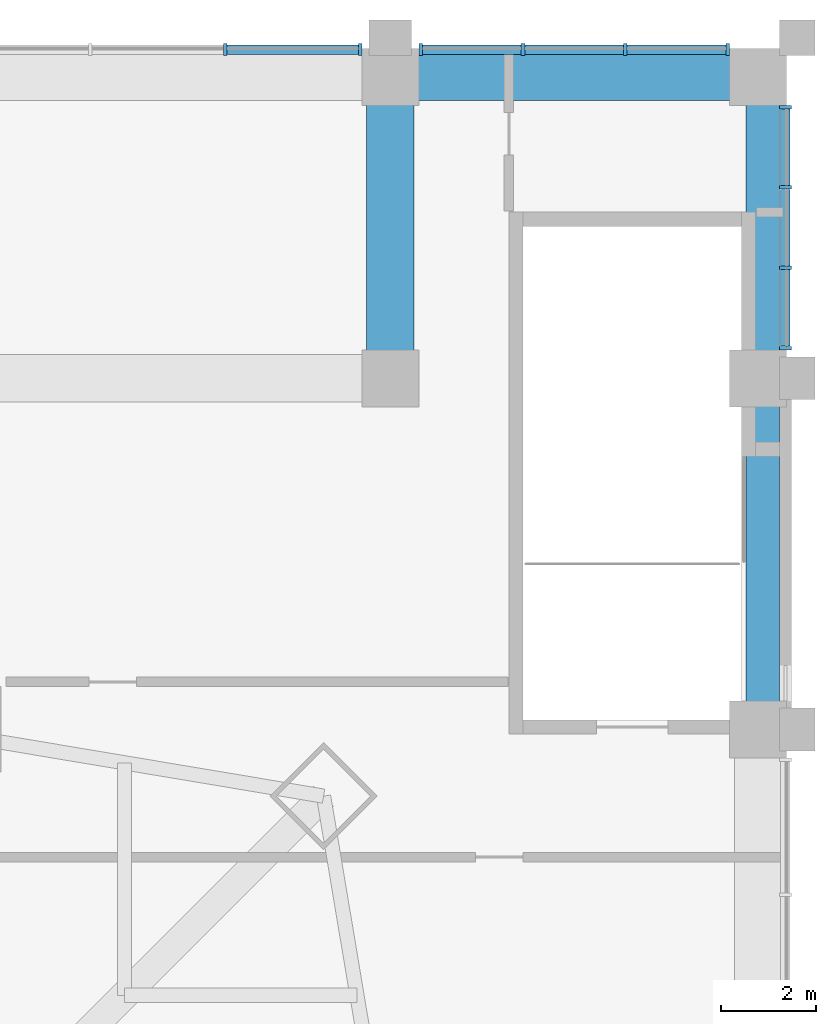
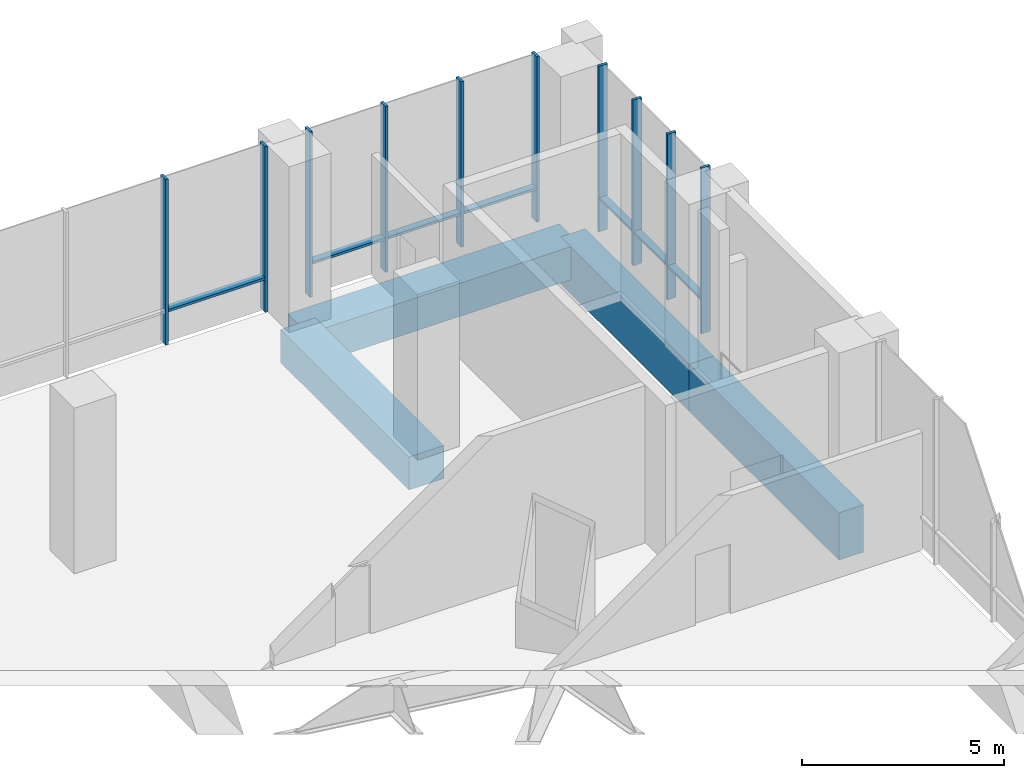
# One storey, part 12 of 22: 17 members, 4 beams, 3 elements without a shape of their own.
"""IFC4 building model written with IfcOpenShell, lengths in metres."""

from ifc_helpers import new_model, si_unit, direction, frame, origin, origin_2d, place, context, subcontext, project, spatial, rectangle, extrude, material, material_profile, profile_set, type_object, element, aggregate, save


model = new_model("IFC4")

# Units and contexts
model_context = context("Model", 3, precision=1e-05, world=origin(), true_north=direction((0.0, 1.0)))
body_context = subcontext(model_context, "Body", "Model", "MODEL_VIEW")
ifc_project = project(units=[si_unit("LENGTHUNIT", "METRE"), si_unit("AREAUNIT", "SQUARE_METRE"), si_unit("VOLUMEUNIT", "CUBIC_METRE"), si_unit("PLANEANGLEUNIT", "RADIAN"), si_unit("MASSUNIT", "GRAM", prefix="KILO")], contexts=[model_context])

# Site, building, storey
site_placement = place(None, origin())
site = spatial("IfcSite", under=ifc_project, at=site_placement, CompositionType="ELEMENT")
building_placement = place(site_placement, origin())
building = spatial("IfcBuilding", under=site, at=building_placement, Name="Khuree Lantern Residences", CompositionType="ELEMENT")
storey_placement = place(building_placement, frame((0.0, 0.0, 16.0)))
storey = spatial("IfcBuildingStorey", under=building, at=storey_placement, Name="L03", CompositionType="ELEMENT", Elevation=16.0)

# Curtain wall, members
ifc_material_1 = material(Name="Bronze anodised aluminium", Category="aluminium")
curtain_wall_type = type_object("IfcCurtainWallType", Name="CW-P PODIUM STOREFRONT CURTAIN WALL", PredefinedType="USERDEFINED", material=ifc_material_1)
curtain_wall_1_placement = place(storey_placement, origin())
curtain_wall_1 = element("IfcCurtainWall", 1, at=curtain_wall_1_placement, inside=storey, type_object=curtain_wall_type, Name="L03 EAST FACE BAY 8 STOREFRONT", ObjectType="Storefront curtain wall", PredefinedType="USERDEFINED")
ifc_material_profile_1 = material_profile(ifc_material_1, rectangle(XDim=0.074951171875, YDim=0.25, at=origin_2d()), Name="M5 75X250")
ifc_profile_set_1 = profile_set([ifc_material_profile_1], Name="Bronze anodised aluminium")
member_type_1 = type_object("IfcMemberType", Name="MULLION M5 STOREFRONT 75X250", PredefinedType="MULLION", material=ifc_profile_set_1)
member_1_placement = place(storey_placement, frame((38.125, 37.83740234375, 0.0), z_axis=(0.0, 0.0, 1.0), x_axis=(0.0, 1.0, 0.0)))
member_1 = element("IfcMember", 2, at=member_1_placement, type_object=member_type_1, Name="L03 EAST FACE BAY 8 MULLION 1", PredefinedType="MULLION", context=body_context, shape_type="SweptSolid", body=[
    extrude(rectangle(XDim=0.074951171875, YDim=0.25, at=origin_2d()), origin(), (0.0, 0.0, 1.0), 5.0),
])
member_2_placement = place(storey_placement, frame((38.125, 39.529052734375, 0.0), z_axis=(0.0, 0.0, 1.0), x_axis=(0.0, 1.0, 0.0)))
member_2 = element("IfcMember", 3, at=member_2_placement, type_object=member_type_1, Name="L03 EAST FACE BAY 8 MULLION 2", PredefinedType="MULLION", context=body_context, shape_type="SweptSolid", body=[
    extrude(rectangle(XDim=0.074951171875, YDim=0.25, at=origin_2d()), origin(), (0.0, 0.0, 1.0), 5.0),
])
member_3_placement = place(storey_placement, frame((38.125, 41.220947265625, 0.0), z_axis=(0.0, 0.0, 1.0), x_axis=(0.0, 1.0, 0.0)))
member_3 = element("IfcMember", 4, at=member_3_placement, type_object=member_type_1, Name="L03 EAST FACE BAY 8 MULLION 3", PredefinedType="MULLION", context=body_context, shape_type="SweptSolid", body=[
    extrude(rectangle(XDim=0.074951171875, YDim=0.25, at=origin_2d()), origin(), (0.0, 0.0, 1.0), 5.0),
])
member_4_placement = place(storey_placement, frame((38.125, 42.91259765625, 0.0), z_axis=(0.0, 0.0, 1.0), x_axis=(0.0, 1.0, 0.0)))
member_4 = element("IfcMember", 5, at=member_4_placement, type_object=member_type_1, Name="L03 EAST FACE BAY 8 MULLION 4", PredefinedType="MULLION", context=body_context, shape_type="SweptSolid", body=[
    extrude(rectangle(XDim=0.074951171875, YDim=0.25, at=origin_2d()), origin(), (0.0, 0.0, 1.0), 5.0),
])

curtain_wall_2_placement = place(storey_placement, origin())
curtain_wall_2 = element("IfcCurtainWall", 6, at=curtain_wall_2_placement, inside=storey, type_object=curtain_wall_type, Name="L03 NORTH FACE BAY 1 STOREFRONT", ObjectType="Storefront curtain wall", PredefinedType="USERDEFINED")
member_5_placement = place(storey_placement, frame((36.91259765625, 44.125, 0.0), z_axis=(0.0, 0.0, 1.0), x_axis=(-1.0, 0.0, 0.0)))
member_5 = element("IfcMember", 7, at=member_5_placement, type_object=member_type_1, Name="L03 NORTH FACE BAY 1 MULLION 1", PredefinedType="MULLION", context=body_context, shape_type="SweptSolid", body=[
    extrude(rectangle(XDim=0.074951171875, YDim=0.25, at=origin_2d()), origin(), (0.0, 0.0, 1.0), 5.0),
])
member_6_placement = place(storey_placement, frame((34.754150390625, 44.125, 0.0), z_axis=(0.0, 0.0, 1.0), x_axis=(-1.0, 0.0, 0.0)))
member_6 = element("IfcMember", 8, at=member_6_placement, type_object=member_type_1, Name="L03 NORTH FACE BAY 1 MULLION 2", PredefinedType="MULLION", context=body_context, shape_type="SweptSolid", body=[
    extrude(rectangle(XDim=0.074951171875, YDim=0.25, at=origin_2d()), origin(), (0.0, 0.0, 1.0), 5.0),
])
member_7_placement = place(storey_placement, frame((32.595947265625, 44.125, 0.0), z_axis=(0.0, 0.0, 1.0), x_axis=(-1.0, 0.0, 0.0)))
member_7 = element("IfcMember", 9, at=member_7_placement, type_object=member_type_1, Name="L03 NORTH FACE BAY 1 MULLION 3", PredefinedType="MULLION", context=body_context, shape_type="SweptSolid", body=[
    extrude(rectangle(XDim=0.074951171875, YDim=0.25, at=origin_2d()), origin(), (0.0, 0.0, 1.0), 5.0),
])
member_8_placement = place(storey_placement, frame((30.4375, 44.125, 0.0), z_axis=(0.0, 0.0, 1.0), x_axis=(-1.0, 0.0, 0.0)))
member_8 = element("IfcMember", 10, at=member_8_placement, type_object=member_type_1, Name="L03 NORTH FACE BAY 1 MULLION 4", PredefinedType="MULLION", context=body_context, shape_type="SweptSolid", body=[
    extrude(rectangle(XDim=0.074951171875, YDim=0.25, at=origin_2d()), origin(), (0.0, 0.0, 1.0), 5.0),
])

curtain_wall_3_placement = place(storey_placement, origin())
curtain_wall_3 = element("IfcCurtainWall", 11, at=curtain_wall_3_placement, inside=storey, type_object=curtain_wall_type, Name="L03 NORTH FACE BAY 2 STOREFRONT", ObjectType="Storefront curtain wall", PredefinedType="USERDEFINED")
member_9_placement = place(storey_placement, frame((29.16259765625, 44.125, 0.0), z_axis=(0.0, 0.0, 1.0), x_axis=(-1.0, 0.0, 0.0)))
member_9 = element("IfcMember", 12, at=member_9_placement, type_object=member_type_1, Name="L03 NORTH FACE BAY 2 MULLION 1", PredefinedType="MULLION", context=body_context, shape_type="SweptSolid", body=[
    extrude(rectangle(XDim=0.074951171875, YDim=0.25, at=origin_2d()), origin(), (0.0, 0.0, 1.0), 5.0),
])
member_10_placement = place(storey_placement, frame((26.32080078125, 44.125, 0.0), z_axis=(0.0, 0.0, 1.0), x_axis=(-1.0, 0.0, 0.0)))
member_10 = element("IfcMember", 13, at=member_10_placement, type_object=member_type_1, Name="L03 NORTH FACE BAY 2 MULLION 2", PredefinedType="MULLION", context=body_context, shape_type="SweptSolid", body=[
    extrude(rectangle(XDim=0.074951171875, YDim=0.25, at=origin_2d()), origin(), (0.0, 0.0, 1.0), 5.0),
])

# Beams
ifc_material_2 = material(Name="Concrete C40/50", Category="concrete")
ifc_material_profile_2 = material_profile(ifc_material_2, rectangle(XDim=1.0, YDim=1.0, at=origin_2d()), Name="RC 1000X1000")
ifc_profile_set_2 = profile_set([ifc_material_profile_2], Name="Concrete C40/50")
beam_type_1 = type_object("IfcBeamType", Name="RB3 PODIUM BEAM RC 1000X1000", PredefinedType="BEAM", material=ifc_profile_set_2)
beam_1_placement = place(storey_placement, frame((29.800048828125, 43.550048828125, -0.800048828125), z_axis=(1.0, 0.0, 0.0), x_axis=(0.0, 1.0, 0.0)))
element("IfcBeam", 14, at=beam_1_placement, inside=storey, type_object=beam_type_1, Name="Podium beam RB-24", PredefinedType="BEAM", context=body_context, shape_type="SweptSolid", body=[
    extrude(rectangle(XDim=1.0, YDim=1.0, at=origin_2d()), origin(), (0.0, 0.0, 1.0), 7.75),
])
beam_2_placement = place(storey_placement, frame((29.800048828125, 37.199951171875, -0.800048828125), z_axis=(0.0, 1.0, 0.0), x_axis=(-1.0, 0.0, 0.0)))
element("IfcBeam", 15, at=beam_2_placement, inside=storey, type_object=beam_type_1, Name="Podium beam RB-44", PredefinedType="BEAM", context=body_context, shape_type="SweptSolid", body=[
    extrude(rectangle(XDim=1.0, YDim=1.0, at=origin_2d()), origin(), (0.0, 0.0, 1.0), 6.35009765625),
])
ifc_material_profile_3 = material_profile(ifc_material_2, rectangle(XDim=0.699951171875, YDim=1.429931640625, at=origin_2d()), Name="RC 700X1430")
ifc_profile_set_3 = profile_set([ifc_material_profile_3], Name="Concrete C40/50")
beam_type_2 = type_object("IfcBeamType", Name="RB7 PODIUM BEAM AT STAIR RC 700X1430", PredefinedType="BEAM", material=ifc_profile_set_3)
beam_3_placement = place(storey_placement, frame((37.64990234375, 29.800048828125, -1.014892578125), z_axis=(0.0, 1.0, 0.0), x_axis=(-1.0, 0.0, 0.0)))
element("IfcBeam", 16, at=beam_3_placement, inside=storey, type_object=beam_type_2, Name="Podium beam at stair RB-51", PredefinedType="BEAM", context=body_context, shape_type="SweptSolid", body=[
    extrude(rectangle(XDim=0.699951171875, YDim=1.429931640625, at=origin_2d()), origin(), (0.0, 0.0, 1.0), 7.39990234375),
])
beam_4_placement = place(storey_placement, frame((37.64990234375, 37.199951171875, -1.014892578125), z_axis=(0.0, 1.0, 0.0), x_axis=(-1.0, 0.0, 0.0)))
element("IfcBeam", 17, at=beam_4_placement, inside=storey, type_object=beam_type_2, Name="Podium beam at stair RB-52", PredefinedType="BEAM", context=body_context, shape_type="SweptSolid", body=[
    extrude(rectangle(XDim=0.699951171875, YDim=1.429931640625, at=origin_2d()), origin(), (0.0, 0.0, 1.0), 6.35009765625),
])

# Member
ifc_material_profile_4 = material_profile(ifc_material_1, rectangle(XDim=0.199951171875, YDim=0.074951171875, at=origin_2d()), Name="T5 200X75")
ifc_profile_set_4 = profile_set([ifc_material_profile_4], Name="Bronze anodised aluminium")
member_type_2 = type_object("IfcMemberType", Name="TRANSOM T5 STOREFRONT 200X75", PredefinedType="USERDEFINED", material=ifc_profile_set_4)
member_11_placement = place(storey_placement, frame((38.1201171875, 37.875, 1.0), z_axis=(0.0, 1.0, 0.0), x_axis=(-1.0, 0.0, 0.0)))
member_11 = element("IfcMember", 18, at=member_11_placement, type_object=member_type_2, Name="L03 EAST FACE BAY 8 TRANSOM 1", ObjectType="Transom", PredefinedType="USERDEFINED", context=body_context, shape_type="SweptSolid", body=[
    extrude(rectangle(XDim=0.199951171875, YDim=0.074951171875, at=origin_2d()), origin(), (0.0, 0.0, 1.0), 1.61669921875),
])

member_12_placement = place(storey_placement, frame((38.1201171875, 39.566650390625, 1.0), z_axis=(0.0, 1.0, 0.0), x_axis=(-1.0, 0.0, 0.0)))
member_12 = element("IfcMember", 19, at=member_12_placement, type_object=member_type_2, Name="L03 EAST FACE BAY 8 TRANSOM 2", ObjectType="Transom", PredefinedType="USERDEFINED", context=body_context, shape_type="SweptSolid", body=[
    extrude(rectangle(XDim=0.199951171875, YDim=0.074951171875, at=origin_2d()), origin(), (0.0, 0.0, 1.0), 1.61669921875),
])

member_13_placement = place(storey_placement, frame((38.1201171875, 41.25830078125, 1.0), z_axis=(0.0, 1.0, 0.0), x_axis=(-1.0, 0.0, 0.0)))
member_13 = element("IfcMember", 20, at=member_13_placement, type_object=member_type_2, Name="L03 EAST FACE BAY 8 TRANSOM 3", ObjectType="Transom", PredefinedType="USERDEFINED", context=body_context, shape_type="SweptSolid", body=[
    extrude(rectangle(XDim=0.199951171875, YDim=0.074951171875, at=origin_2d()), origin(), (0.0, 0.0, 1.0), 1.61669921875),
])

aggregate(curtain_wall_1, [member_1, member_2, member_3, member_4, member_11, member_12, member_13])

member_14_placement = place(storey_placement, frame((36.875, 44.1201171875, 1.0), z_axis=(-1.0, 0.0, 0.0), x_axis=(0.0, -1.0, 0.0)))
member_14 = element("IfcMember", 21, at=member_14_placement, type_object=member_type_2, Name="L03 NORTH FACE BAY 1 TRANSOM 1", ObjectType="Transom", PredefinedType="USERDEFINED", context=body_context, shape_type="SweptSolid", body=[
    extrude(rectangle(XDim=0.199951171875, YDim=0.074951171875, at=origin_2d()), origin(), (0.0, 0.0, 1.0), 2.083251953125),
])

member_15_placement = place(storey_placement, frame((34.716552734375, 44.1201171875, 1.0), z_axis=(-1.0, 0.0, 0.0), x_axis=(0.0, -1.0, 0.0)))
member_15 = element("IfcMember", 22, at=member_15_placement, type_object=member_type_2, Name="L03 NORTH FACE BAY 1 TRANSOM 2", ObjectType="Transom", PredefinedType="USERDEFINED", context=body_context, shape_type="SweptSolid", body=[
    extrude(rectangle(XDim=0.199951171875, YDim=0.074951171875, at=origin_2d()), origin(), (0.0, 0.0, 1.0), 2.083251953125),
])

member_16_placement = place(storey_placement, frame((32.558349609375, 44.1201171875, 1.0), z_axis=(-1.0, 0.0, 0.0), x_axis=(0.0, -1.0, 0.0)))
member_16 = element("IfcMember", 23, at=member_16_placement, type_object=member_type_2, Name="L03 NORTH FACE BAY 1 TRANSOM 3", ObjectType="Transom", PredefinedType="USERDEFINED", context=body_context, shape_type="SweptSolid", body=[
    extrude(rectangle(XDim=0.199951171875, YDim=0.074951171875, at=origin_2d()), origin(), (0.0, 0.0, 1.0), 2.083251953125),
])

aggregate(curtain_wall_2, [member_5, member_6, member_7, member_8, member_14, member_15, member_16])

member_17_placement = place(storey_placement, frame((29.125, 44.1201171875, 1.0), z_axis=(-1.0, 0.0, 0.0), x_axis=(0.0, -1.0, 0.0)))
member_17 = element("IfcMember", 24, at=member_17_placement, type_object=member_type_2, Name="L03 NORTH FACE BAY 2 TRANSOM 1", ObjectType="Transom", PredefinedType="USERDEFINED", context=body_context, shape_type="SweptSolid", body=[
    extrude(rectangle(XDim=0.199951171875, YDim=0.074951171875, at=origin_2d()), origin(), (0.0, 0.0, 1.0), 2.7666015625),
])

aggregate(curtain_wall_3, [member_9, member_10, member_17])

save(model, "model.ifc")
